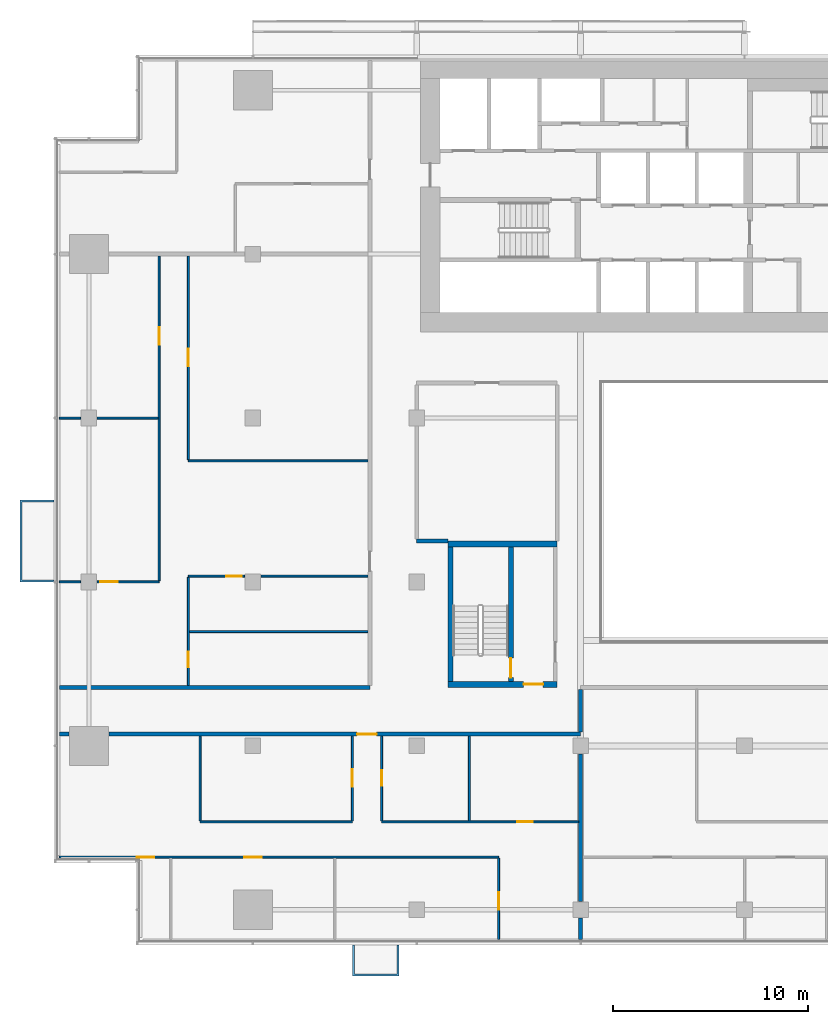
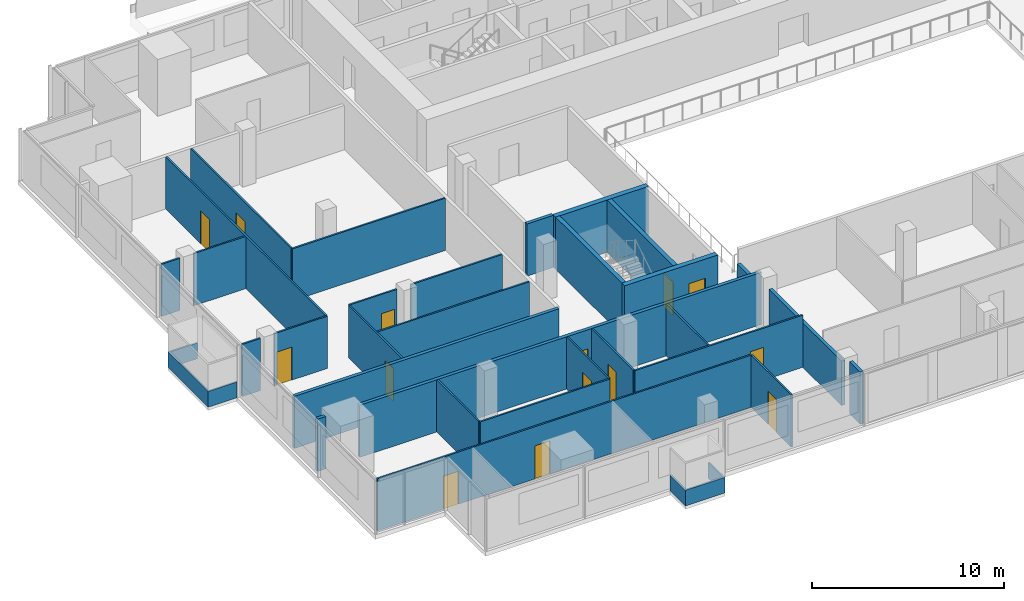
# One storey, part 17 of 27: 32 walls, 14 doors, 14 openings.
"""IFC4 building model written with IfcOpenShell, lengths in metres."""

from ifc_helpers import new_model, si_unit, direction, frame, frame_2d, origin, place, context, subcontext, project, spatial, polyline, rectangle, outline, extrude, material, layer, layer_set, type_object, element, fill, save


model = new_model("IFC4")

# Units and contexts
model_context = context("Model", 3, precision=1e-05, world=origin(), true_north=direction((0.0, 1.0)))
body_context = subcontext(model_context, "Body", "Model", "MODEL_VIEW")
ifc_project = project(units=[si_unit("LENGTHUNIT", "METRE"), si_unit("AREAUNIT", "SQUARE_METRE"), si_unit("VOLUMEUNIT", "CUBIC_METRE"), si_unit("PLANEANGLEUNIT", "RADIAN"), si_unit("MASSUNIT", "GRAM", prefix="KILO")], contexts=[model_context])

# Site, building, storey
site_placement = place(None, origin())
site = spatial("IfcSite", under=ifc_project, at=site_placement, CompositionType="ELEMENT")
building_placement = place(site_placement, origin())
building = spatial("IfcBuilding", under=site, at=building_placement, Name="Saffron Gate Tower", CompositionType="ELEMENT")
storey_placement = place(building_placement, frame((0.0, 0.0, 124.050048828125)))
storey = spatial("IfcBuildingStorey", under=building, at=storey_placement, Name="L29", CompositionType="ELEMENT", Elevation=124.050048828125)

# Wall
ifc_material_1 = material(Name="Concrete C70", Category="concrete")
ifc_layer_1 = layer(ifc_material_1, 0.25)
ifc_layer_set_1 = layer_set([ifc_layer_1], Name="CW2 RC core wall 250 C70")
wall_type_1 = type_object("IfcWallType", Name="CW2 RC core wall 250 C70", PredefinedType="SOLIDWALL", material=ifc_layer_set_1)
wall_1_placement = place(storey_placement, frame((68.324951171875, 43.5, 0.0), z_axis=(0.0, 0.0, 1.0), x_axis=(0.0, 1.0, 0.0)))
element("IfcWall", 1, at=wall_1_placement, inside=storey, type_object=wall_type_1, Name="Wall CW2-L29-D-2", PredefinedType="SOLIDWALL", context=body_context, shape_type="SweptSolid", body=[
    extrude(rectangle(XDim=6.89990234375, YDim=0.25, at=frame_2d((3.449951171875, 0.0))), origin(), (0.0, 0.0, 1.0), 3.320068359375),
])

# Wall, opening, door
wall_2_placement = place(storey_placement, frame((71.425048828125, 43.5, 0.0), z_axis=(0.0, 0.0, 1.0), x_axis=(0.0, 1.0, 0.0)))
wall_2 = element("IfcWall", 2, at=wall_2_placement, inside=storey, type_object=wall_type_1, Name="Wall CW2-L29-D-3", PredefinedType="SOLIDWALL", context=body_context, shape_type="SweptSolid", body=[
    extrude(rectangle(XDim=6.89990234375, YDim=0.25, at=frame_2d((3.449951171875, 0.0))), origin(), (0.0, 0.0, 1.0), 3.320068359375),
])
opening_1_placement = place(wall_2_placement, frame((0.199951171875, 0.0, 0.0)))
opening_1 = element("IfcOpeningElement", 3, at=opening_1_placement, cuts=wall_2, Name="Opening CR-20", PredefinedType="OPENING", context=body_context, shape_type="SweptSolid", body=[
    extrude(rectangle(XDim=1.0, YDim=2.10009765625, at=frame_2d((0.5, 1.050048828125))), frame((0.0, 0.135009765625, 0.0), z_axis=(0.0, -1.0, 0.0), x_axis=(1.0, 0.0, 0.0)), (0.0, 0.0, 1.0), 0.27001953125),
])
ifc_material_2 = material(Name="Steel fire door set", Category="steel")
door_type_1 = type_object("IfcDoorType", Name="CD5 Stair door 1000x2100 EI 120", OperationType="NOTDEFINED", PredefinedType="DOOR", material=ifc_material_2)
door_1_placement = place(opening_1_placement, origin())
door_1 = element("IfcDoor", 4, at=door_1_placement, inside=storey, type_object=door_type_1, Name="DOOR CR-20", OperationType="SINGLE_SWING_LEFT", OverallHeight=2.10009765625, OverallWidth=1.0, PredefinedType="DOOR", context=body_context, shape_type="SweptSolid", body=[
    extrude(rectangle(XDim=1.0, YDim=2.10009765625, at=frame_2d((0.5, 1.050048828125))), frame((0.0, 0.02490234375, 0.0), z_axis=(0.0, -1.0, 0.0), x_axis=(1.0, 0.0, 0.0)), (0.0, 0.0, 1.0), 0.050048828125),
])
fill(opening_1, door_1)

ifc_layer_2 = layer(ifc_material_1, 0.300048828125)
ifc_layer_set_2 = layer_set([ifc_layer_2], Name="CW5 RC core wall 300 C70")
wall_type_2 = type_object("IfcWallType", Name="CW5 RC core wall 300 C70", PredefinedType="SOLIDWALL", material=ifc_layer_set_2)
wall_3_placement = place(storey_placement, frame((68.199951171875, 43.35009765625, 0.0), z_axis=(0.0, 0.0, 1.0), x_axis=(1.0, 0.0, 0.0)))
wall_3 = element("IfcWall", 5, at=wall_3_placement, inside=storey, type_object=wall_type_2, Name="Wall CW5-L29-D-1", PredefinedType="SOLIDWALL", context=body_context, shape_type="SweptSolid", body=[
    extrude(rectangle(XDim=5.60009765625, YDim=0.300048828125, at=frame_2d((2.800048828125, 0.0))), origin(), (0.0, 0.0, 1.0), 3.320068359375),
])
opening_2_placement = place(wall_3_placement, frame((3.875, 0.0, 0.0)))
opening_2 = element("IfcOpeningElement", 6, at=opening_2_placement, cuts=wall_3, Name="Opening CR-18", PredefinedType="OPENING", context=body_context, shape_type="SweptSolid", body=[
    extrude(rectangle(XDim=1.0, YDim=2.10009765625, at=frame_2d((0.5, 1.050048828125))), frame((0.0, 0.16015625, 0.0), z_axis=(0.0, -1.0, 0.0), x_axis=(1.0, 0.0, 0.0)), (0.0, 0.0, 1.0), 0.320068359375),
])
door_type_2 = type_object("IfcDoorType", Name="CD4 Lobby door 1000x2100 EI 120", OperationType="NOTDEFINED", PredefinedType="DOOR", material=ifc_material_2)
door_2_placement = place(opening_2_placement, origin())
door_2 = element("IfcDoor", 7, at=door_2_placement, inside=storey, type_object=door_type_2, Name="DOOR CR-18", OperationType="SINGLE_SWING_RIGHT", OverallHeight=2.10009765625, OverallWidth=1.0, PredefinedType="DOOR", context=body_context, shape_type="SweptSolid", body=[
    extrude(rectangle(XDim=1.0, YDim=2.10009765625, at=frame_2d((0.5, 1.050048828125))), frame((0.0, 0.02490234375, 0.0), z_axis=(0.0, -1.0, 0.0), x_axis=(1.0, 0.0, 0.0)), (0.0, 0.0, 1.0), 0.050048828125),
])
fill(opening_2, door_2)

# Wall
wall_4_placement = place(storey_placement, frame((68.199951171875, 50.550048828125, 0.0), z_axis=(0.0, 0.0, 1.0), x_axis=(1.0, 0.0, 0.0)))
element("IfcWall", 8, at=wall_4_placement, inside=storey, type_object=wall_type_2, Name="Wall CW5-L29-D-5", PredefinedType="SOLIDWALL", context=body_context, shape_type="SweptSolid", body=[
    extrude(rectangle(XDim=5.60009765625, YDim=0.300048828125, at=frame_2d((2.800048828125, 0.0))), origin(), (0.0, 0.0, 1.0), 3.320068359375),
])

# Wall, openings, doors
ifc_material_3 = material(Name="Plasterboard on steel studs", Category="steel")
ifc_layer_3 = layer(ifc_material_3, 0.10009765625)
ifc_layer_set_3 = layer_set([ifc_layer_3], Name="PW1 Partition 100")
wall_type_3 = type_object("IfcWallType", Name="PW1 Partition 100", PredefinedType="PARTITIONING", material=ifc_layer_set_3)
wall_5_placement = place(storey_placement, frame((70.800048828125, 34.5, 0.0), z_axis=(0.0, 0.0, 1.0), x_axis=(-1.0, 0.0, 0.0)))
wall_5 = element("IfcWall", 9, at=wall_5_placement, inside=storey, type_object=wall_type_3, Name="Partition B3-1", PredefinedType="PARTITIONING", context=body_context, shape_type="SweptSolid", body=[
    extrude(rectangle(XDim=22.52001953125, YDim=0.10009765625, at=frame_2d((11.260009765625, 0.0))), origin(), (0.0, 0.0, 1.0), 3.320068359375),
])
opening_3_placement = place(wall_5_placement, frame((12.14990234375, 0.0, 0.0)))
opening_3 = element("IfcOpeningElement", 10, at=opening_3_placement, cuts=wall_5, Name="Opening B3-9", PredefinedType="OPENING", context=body_context, shape_type="SweptSolid", body=[
    extrude(rectangle(XDim=0.89990234375, YDim=2.10009765625, at=frame_2d((0.449951171875, 1.050048828125))), frame((0.0, 0.06005859375, 0.0), z_axis=(0.0, -1.0, 0.0), x_axis=(1.0, 0.0, 0.0)), (0.0, 0.0, 1.0), 0.1201171875),
])
opening_4_placement = place(wall_5_placement, frame((17.65380859375, 0.0, 0.0)))
opening_4 = element("IfcOpeningElement", 11, at=opening_4_placement, cuts=wall_5, Name="Opening B3-8", PredefinedType="OPENING", context=body_context, shape_type="SweptSolid", body=[
    extrude(rectangle(XDim=0.89990234375, YDim=2.10009765625, at=frame_2d((0.449951171875, 1.050048828125))), frame((0.0, 0.06005859375, 0.0), z_axis=(0.0, -1.0, 0.0), x_axis=(1.0, 0.0, 0.0)), (0.0, 0.0, 1.0), 0.1201171875),
])
ifc_material_4 = material(Name="Timber door set", Category="wood")
door_type_3 = type_object("IfcDoorType", Name="RD1 Room door 900x2100", OperationType="NOTDEFINED", PredefinedType="DOOR", material=ifc_material_4)
door_3_placement = place(opening_3_placement, origin())
door_3 = element("IfcDoor", 12, at=door_3_placement, inside=storey, type_object=door_type_3, Name="Door B3-9", OperationType="SINGLE_SWING_RIGHT", OverallHeight=2.10009765625, OverallWidth=0.89990234375, PredefinedType="DOOR", context=body_context, shape_type="SweptSolid", body=[
    extrude(rectangle(XDim=0.89990234375, YDim=2.10009765625, at=frame_2d((0.449951171875, 1.050048828125))), frame((0.0, 0.02490234375, 0.0), z_axis=(0.0, -1.0, 0.0), x_axis=(1.0, 0.0, 0.0)), (0.0, 0.0, 1.0), 0.050048828125),
])
fill(opening_3, door_3)
door_4_placement = place(opening_4_placement, origin())
door_4 = element("IfcDoor", 13, at=door_4_placement, inside=storey, type_object=door_type_3, Name="Door B3-8", OperationType="SINGLE_SWING_LEFT", OverallHeight=2.10009765625, OverallWidth=0.89990234375, PredefinedType="DOOR", context=body_context, shape_type="SweptSolid", body=[
    extrude(rectangle(XDim=0.89990234375, YDim=2.10009765625, at=frame_2d((0.449951171875, 1.050048828125))), frame((0.0, 0.02490234375, 0.0), z_axis=(0.0, -1.0, 0.0), x_axis=(1.0, 0.0, 0.0)), (0.0, 0.0, 1.0), 0.050048828125),
])
fill(opening_4, door_4)

# Wall
wall_6_placement = place(storey_placement, frame((55.5, 36.300048828125, 0.0), z_axis=(0.0, 0.0, 1.0), x_axis=(1.0, 0.0, 0.0)))
element("IfcWall", 14, at=wall_6_placement, inside=storey, type_object=wall_type_3, Name="Partition B3-5", PredefinedType="PARTITIONING", context=body_context, shape_type="SweptSolid", body=[
    extrude(rectangle(XDim=7.800048828125, YDim=0.10009765625, at=frame_2d((3.89990234375, 0.0))), origin(), (0.0, 0.0, 1.0), 3.320068359375),
])

# Wall, opening, door
wall_7_placement = place(storey_placement, frame((64.800048828125, 36.300048828125, 0.0), z_axis=(0.0, 0.0, 1.0), x_axis=(1.0, 0.0, 0.0)))
wall_7 = element("IfcWall", 15, at=wall_7_placement, inside=storey, type_object=wall_type_3, Name="Partition B3-6", PredefinedType="PARTITIONING", context=body_context, shape_type="SweptSolid", body=[
    extrude(rectangle(XDim=10.099853515625, YDim=0.10009765625, at=frame_2d((5.0498046875, 0.0))), origin(), (0.0, 0.0, 1.0), 3.320068359375),
])
opening_5_placement = place(wall_7_placement, frame((6.949951171875, 0.0, 0.0)))
opening_5 = element("IfcOpeningElement", 16, at=opening_5_placement, cuts=wall_7, Name="Opening B3-33", PredefinedType="OPENING", context=body_context, shape_type="SweptSolid", body=[
    extrude(rectangle(XDim=0.800048828125, YDim=2.10009765625, at=frame_2d((0.39990234375, 1.050048828125))), frame((0.0, 0.06005859375, 0.0), z_axis=(0.0, -1.0, 0.0), x_axis=(1.0, 0.0, 0.0)), (0.0, 0.0, 1.0), 0.1201171875),
])
door_type_4 = type_object("IfcDoorType", Name="RD2 Bathroom door 800x2100", OperationType="NOTDEFINED", PredefinedType="DOOR", material=ifc_material_4)
door_5_placement = place(opening_5_placement, origin())
door_5 = element("IfcDoor", 17, at=door_5_placement, inside=storey, type_object=door_type_4, Name="Door B3-33", OperationType="SINGLE_SWING_RIGHT", OverallHeight=2.10009765625, OverallWidth=0.800048828125, PredefinedType="DOOR", context=body_context, shape_type="SweptSolid", body=[
    extrude(rectangle(XDim=0.800048828125, YDim=2.10009765625, at=frame_2d((0.39990234375, 1.050048828125))), frame((0.0, 0.02490234375, 0.0), z_axis=(0.0, -1.0, 0.0), x_axis=(1.0, 0.0, 0.0)), (0.0, 0.0, 1.0), 0.050048828125),
])
fill(opening_5, door_5)

# Walls
wall_8_placement = place(storey_placement, frame((54.949951171875, 46.049560546875, 0.0), z_axis=(0.0, 0.0, 1.0), x_axis=(1.0, 0.0, 0.0)))
element("IfcWall", 18, at=wall_8_placement, inside=storey, type_object=wall_type_3, Name="Partition B3-16", PredefinedType="PARTITIONING", context=body_context, shape_type="SweptSolid", body=[
    extrude(rectangle(XDim=9.150146484375, YDim=0.10009765625, at=frame_2d((4.5751953125, 0.0))), origin(), (0.0, 0.0, 1.0), 3.320068359375),
])
wall_9_placement = place(storey_placement, frame((48.280029296875, 48.60009765625, 0.0), z_axis=(0.0, 0.0, 1.0), x_axis=(1.0, 0.0, 0.0)))
element("IfcWall", 19, at=wall_9_placement, inside=storey, type_object=wall_type_3, Name="Partition B3-18", PredefinedType="PARTITIONING", context=body_context, shape_type="SweptSolid", body=[
    extrude(rectangle(XDim=1.099853515625, YDim=0.10009765625, at=frame_2d((0.5498046875, 0.0))), origin(), (0.0, 0.0, 1.0), 3.320068359375),
])

# Wall, opening, door
wall_10_placement = place(storey_placement, frame((50.219970703125, 48.60009765625, 0.0), z_axis=(0.0, 0.0, 1.0), x_axis=(1.0, 0.0, 0.0)))
wall_10 = element("IfcWall", 20, at=wall_10_placement, inside=storey, type_object=wall_type_3, Name="Partition B3-19", PredefinedType="PARTITIONING", context=body_context, shape_type="SweptSolid", body=[
    extrude(rectangle(XDim=3.179931640625, YDim=0.10009765625, at=frame_2d((1.58984375, 0.0))), origin(), (0.0, 0.0, 1.0), 3.320068359375),
])
opening_6_placement = place(wall_10_placement, frame((0.14990234375, 0.0, 0.0)))
opening_6 = element("IfcOpeningElement", 21, at=opening_6_placement, cuts=wall_10, Name="Opening B3-22", PredefinedType="OPENING", context=body_context, shape_type="SweptSolid", body=[
    extrude(rectangle(XDim=0.89990234375, YDim=2.10009765625, at=frame_2d((0.449951171875, 1.050048828125))), frame((0.0, 0.06005859375, 0.0), z_axis=(0.0, -1.0, 0.0), x_axis=(1.0, 0.0, 0.0)), (0.0, 0.0, 1.0), 0.1201171875),
])
door_6_placement = place(opening_6_placement, origin())
door_6 = element("IfcDoor", 22, at=door_6_placement, inside=storey, type_object=door_type_3, Name="Door B3-22", OperationType="SINGLE_SWING_LEFT", OverallHeight=2.10009765625, OverallWidth=0.89990234375, PredefinedType="DOOR", context=body_context, shape_type="SweptSolid", body=[
    extrude(rectangle(XDim=0.89990234375, YDim=2.10009765625, at=frame_2d((0.449951171875, 1.050048828125))), frame((0.0, 0.02490234375, 0.0), z_axis=(0.0, -1.0, 0.0), x_axis=(1.0, 0.0, 0.0)), (0.0, 0.0, 1.0), 0.050048828125),
])
fill(opening_6, door_6)

wall_11_placement = place(storey_placement, frame((57.780029296875, 48.89990234375, 0.0), z_axis=(0.0, 0.0, 1.0), x_axis=(-1.0, 0.0, 0.0)))
wall_11 = element("IfcWall", 23, at=wall_11_placement, inside=storey, type_object=wall_type_3, Name="Partition B3-22", PredefinedType="PARTITIONING", context=body_context, shape_type="SweptSolid", body=[
    extrude(rectangle(XDim=2.880126953125, YDim=0.10009765625, at=frame_2d((1.43994140625, 0.0))), origin(), (0.0, 0.0, 1.0), 3.320068359375),
])
opening_7_placement = place(wall_11_placement, frame((0.14990234375, 0.0, 0.0)))
opening_7 = element("IfcOpeningElement", 24, at=opening_7_placement, cuts=wall_11, Name="Opening B3-39", PredefinedType="OPENING", context=body_context, shape_type="SweptSolid", body=[
    extrude(rectangle(XDim=0.800048828125, YDim=2.10009765625, at=frame_2d((0.39990234375, 1.050048828125))), frame((0.0, 0.06005859375, 0.0), z_axis=(0.0, -1.0, 0.0), x_axis=(1.0, 0.0, 0.0)), (0.0, 0.0, 1.0), 0.1201171875),
])
door_7_placement = place(opening_7_placement, origin())
door_7 = element("IfcDoor", 25, at=door_7_placement, inside=storey, type_object=door_type_4, Name="Door B3-39", OperationType="SINGLE_SWING_LEFT", OverallHeight=2.10009765625, OverallWidth=0.800048828125, PredefinedType="DOOR", context=body_context, shape_type="SweptSolid", body=[
    extrude(rectangle(XDim=0.800048828125, YDim=2.10009765625, at=frame_2d((0.39990234375, 1.050048828125))), frame((0.0, 0.02490234375, 0.0), z_axis=(0.0, -1.0, 0.0), x_axis=(1.0, 0.0, 0.0)), (0.0, 0.0, 1.0), 0.050048828125),
])
fill(opening_7, door_7)

# Walls
wall_12_placement = place(storey_placement, frame((58.6201171875, 48.89990234375, 0.0), z_axis=(0.0, 0.0, 1.0), x_axis=(1.0, 0.0, 0.0)))
element("IfcWall", 26, at=wall_12_placement, inside=storey, type_object=wall_type_3, Name="Partition B3-23", PredefinedType="PARTITIONING", context=body_context, shape_type="SweptSolid", body=[
    extrude(rectangle(XDim=5.47998046875, YDim=0.10009765625, at=frame_2d((2.739990234375, 0.0))), origin(), (0.0, 0.0, 1.0), 3.320068359375),
])
wall_13_placement = place(storey_placement, frame((54.89990234375, 54.80859375, 0.0), z_axis=(0.0, 0.0, 1.0), x_axis=(1.0, 0.0, 0.0)))
element("IfcWall", 27, at=wall_13_placement, inside=storey, type_object=wall_type_3, Name="Partition B3-27", PredefinedType="PARTITIONING", context=body_context, shape_type="SweptSolid", body=[
    extrude(rectangle(XDim=9.2001953125, YDim=0.10009765625, at=frame_2d((4.60009765625, 0.0))), origin(), (0.0, 0.0, 1.0), 3.320068359375),
])
wall_14_placement = place(storey_placement, frame((48.280029296875, 57.0, 0.0), z_axis=(0.0, 0.0, 1.0), x_axis=(1.0, 0.0, 0.0)))
element("IfcWall", 28, at=wall_14_placement, inside=storey, type_object=wall_type_3, Name="Partition B3-32", PredefinedType="PARTITIONING", context=body_context, shape_type="SweptSolid", body=[
    extrude(rectangle(XDim=1.099853515625, YDim=0.10009765625, at=frame_2d((0.5498046875, 0.0))), origin(), (0.0, 0.0, 1.0), 3.320068359375),
])
wall_15_placement = place(storey_placement, frame((50.219970703125, 57.0, 0.0), z_axis=(0.0, 0.0, 1.0), x_axis=(1.0, 0.0, 0.0)))
element("IfcWall", 29, at=wall_15_placement, inside=storey, type_object=wall_type_3, Name="Partition B3-33", PredefinedType="PARTITIONING", context=body_context, shape_type="SweptSolid", body=[
    extrude(rectangle(XDim=3.130126953125, YDim=0.10009765625, at=frame_2d((1.56494140625, 0.0))), origin(), (0.0, 0.0, 1.0), 3.320068359375),
])

# Wall, opening, door
wall_16_placement = place(storey_placement, frame((53.39990234375, 48.64990234375, 0.0), z_axis=(0.0, 0.0, 1.0), x_axis=(0.0, 1.0, 0.0)))
wall_16 = element("IfcWall", 30, at=wall_16_placement, inside=storey, type_object=wall_type_3, Name="Partition B3-47", PredefinedType="PARTITIONING", context=body_context, shape_type="SweptSolid", body=[
    extrude(rectangle(XDim=16.650146484375, YDim=0.10009765625, at=frame_2d((8.3251953125, 0.0))), origin(), (0.0, 0.0, 1.0), 3.320068359375),
])
opening_8_placement = place(wall_16_placement, frame((12.10009765625, 0.0, 0.0)))
opening_8 = element("IfcOpeningElement", 31, at=opening_8_placement, cuts=wall_16, Name="Opening B3-23", PredefinedType="OPENING", context=body_context, shape_type="SweptSolid", body=[
    extrude(rectangle(XDim=0.89990234375, YDim=2.10009765625, at=frame_2d((0.449951171875, 1.050048828125))), frame((0.0, 0.06005859375, 0.0), z_axis=(0.0, -1.0, 0.0), x_axis=(1.0, 0.0, 0.0)), (0.0, 0.0, 1.0), 0.1201171875),
])
door_8_placement = place(opening_8_placement, origin())
door_8 = element("IfcDoor", 32, at=door_8_placement, inside=storey, type_object=door_type_3, Name="Door B3-23", OperationType="SINGLE_SWING_RIGHT", OverallHeight=2.10009765625, OverallWidth=0.89990234375, PredefinedType="DOOR", context=body_context, shape_type="SweptSolid", body=[
    extrude(rectangle(XDim=0.89990234375, YDim=2.10009765625, at=frame_2d((0.449951171875, 1.050048828125))), frame((0.0, 0.02490234375, 0.0), z_axis=(0.0, -1.0, 0.0), x_axis=(1.0, 0.0, 0.0)), (0.0, 0.0, 1.0), 0.050048828125),
])
fill(opening_8, door_8)

wall_17_placement = place(storey_placement, frame((54.89990234375, 48.85009765625, 0.0), z_axis=(0.0, 0.0, 1.0), x_axis=(0.0, -1.0, 0.0)))
wall_17 = element("IfcWall", 33, at=wall_17_placement, inside=storey, type_object=wall_type_3, Name="Partition B3-50", PredefinedType="PARTITIONING", context=body_context, shape_type="SweptSolid", body=[
    extrude(rectangle(XDim=5.550048828125, YDim=0.10009765625, at=frame_2d((2.77490234375, 0.0))), origin(), (0.0, 0.0, 1.0), 3.320068359375),
])
opening_9_placement = place(wall_17_placement, frame((3.8251953125, 0.0, 0.0)))
opening_9 = element("IfcOpeningElement", 34, at=opening_9_placement, cuts=wall_17, Name="Opening B3-38", PredefinedType="OPENING", context=body_context, shape_type="SweptSolid", body=[
    extrude(rectangle(XDim=0.800048828125, YDim=2.10009765625, at=frame_2d((0.39990234375, 1.050048828125))), frame((0.0, 0.06005859375, 0.0), z_axis=(0.0, -1.0, 0.0), x_axis=(1.0, 0.0, 0.0)), (0.0, 0.0, 1.0), 0.1201171875),
])
door_9_placement = place(opening_9_placement, origin())
door_9 = element("IfcDoor", 35, at=door_9_placement, inside=storey, type_object=door_type_4, Name="Door B3-38", OperationType="SINGLE_SWING_RIGHT", OverallHeight=2.10009765625, OverallWidth=0.800048828125, PredefinedType="DOOR", context=body_context, shape_type="SweptSolid", body=[
    extrude(rectangle(XDim=0.800048828125, YDim=2.10009765625, at=frame_2d((0.39990234375, 1.050048828125))), frame((0.0, 0.02490234375, 0.0), z_axis=(0.0, -1.0, 0.0), x_axis=(1.0, 0.0, 0.0)), (0.0, 0.0, 1.0), 0.050048828125),
])
fill(opening_9, door_9)

wall_18_placement = place(storey_placement, frame((54.89990234375, 65.300048828125, 0.0), z_axis=(0.0, 0.0, 1.0), x_axis=(0.0, -1.0, 0.0)))
wall_18 = element("IfcWall", 36, at=wall_18_placement, inside=storey, type_object=wall_type_3, Name="Partition B3-51", PredefinedType="PARTITIONING", context=body_context, shape_type="SweptSolid", body=[
    extrude(rectangle(XDim=10.44140625, YDim=0.10009765625, at=frame_2d((5.220703125, 0.0))), origin(), (0.0, 0.0, 1.0), 3.320068359375),
])
opening_10_placement = place(wall_18_placement, frame((4.74560546875, 0.0, 0.0)))
opening_10 = element("IfcOpeningElement", 37, at=opening_10_placement, cuts=wall_18, Name="Opening B3-24", PredefinedType="OPENING", context=body_context, shape_type="SweptSolid", body=[
    extrude(rectangle(XDim=0.89990234375, YDim=2.10009765625, at=frame_2d((0.449951171875, 1.050048828125))), frame((0.0, 0.06005859375, 0.0), z_axis=(0.0, -1.0, 0.0), x_axis=(1.0, 0.0, 0.0)), (0.0, 0.0, 1.0), 0.1201171875),
])
door_10_placement = place(opening_10_placement, origin())
door_10 = element("IfcDoor", 38, at=door_10_placement, inside=storey, type_object=door_type_3, Name="Door B3-24", OperationType="SINGLE_SWING_LEFT", OverallHeight=2.10009765625, OverallWidth=0.89990234375, PredefinedType="DOOR", context=body_context, shape_type="SweptSolid", body=[
    extrude(rectangle(XDim=0.89990234375, YDim=2.10009765625, at=frame_2d((0.449951171875, 1.050048828125))), frame((0.0, 0.02490234375, 0.0), z_axis=(0.0, -1.0, 0.0), x_axis=(1.0, 0.0, 0.0)), (0.0, 0.0, 1.0), 0.050048828125),
])
fill(opening_10, door_10)

# Wall
wall_19_placement = place(storey_placement, frame((55.5, 40.699951171875, 0.0), z_axis=(0.0, 0.0, 1.0), x_axis=(0.0, -1.0, 0.0)))
element("IfcWall", 39, at=wall_19_placement, inside=storey, type_object=wall_type_3, Name="Partition B3-52", PredefinedType="PARTITIONING", context=body_context, shape_type="SweptSolid", body=[
    extrude(rectangle(XDim=4.349853515625, YDim=0.10009765625, at=frame_2d((2.1748046875, 0.0))), origin(), (0.0, 0.0, 1.0), 3.320068359375),
])

# Wall, opening, door
wall_20_placement = place(storey_placement, frame((63.300048828125, 36.35009765625, 0.0), z_axis=(0.0, 0.0, 1.0), x_axis=(0.0, 1.0, 0.0)))
wall_20 = element("IfcWall", 40, at=wall_20_placement, inside=storey, type_object=wall_type_3, Name="Partition B3-55", PredefinedType="PARTITIONING", context=body_context, shape_type="SweptSolid", body=[
    extrude(rectangle(XDim=4.349853515625, YDim=0.10009765625, at=frame_2d((2.1748046875, 0.0))), origin(), (0.0, 0.0, 1.0), 3.320068359375),
])
opening_11_placement = place(wall_20_placement, frame((1.75, 0.0, 0.0)))
opening_11 = element("IfcOpeningElement", 41, at=opening_11_placement, cuts=wall_20, Name="Opening B3-11", PredefinedType="OPENING", context=body_context, shape_type="SweptSolid", body=[
    extrude(rectangle(XDim=0.89990234375, YDim=2.10009765625, at=frame_2d((0.449951171875, 1.050048828125))), frame((0.0, 0.06005859375, 0.0), z_axis=(0.0, -1.0, 0.0), x_axis=(1.0, 0.0, 0.0)), (0.0, 0.0, 1.0), 0.1201171875),
])
door_11_placement = place(opening_11_placement, origin())
door_11 = element("IfcDoor", 42, at=door_11_placement, inside=storey, type_object=door_type_3, Name="Door B3-11", OperationType="SINGLE_SWING_RIGHT", OverallHeight=2.10009765625, OverallWidth=0.89990234375, PredefinedType="DOOR", context=body_context, shape_type="SweptSolid", body=[
    extrude(rectangle(XDim=0.89990234375, YDim=2.10009765625, at=frame_2d((0.449951171875, 1.050048828125))), frame((0.0, 0.02490234375, 0.0), z_axis=(0.0, -1.0, 0.0), x_axis=(1.0, 0.0, 0.0)), (0.0, 0.0, 1.0), 0.050048828125),
])
fill(opening_11, door_11)

wall_21_placement = place(storey_placement, frame((64.800048828125, 40.699951171875, 0.0), z_axis=(0.0, 0.0, 1.0), x_axis=(0.0, -1.0, 0.0)))
wall_21 = element("IfcWall", 43, at=wall_21_placement, inside=storey, type_object=wall_type_3, Name="Partition B3-57", PredefinedType="PARTITIONING", context=body_context, shape_type="SweptSolid", body=[
    extrude(rectangle(XDim=4.349853515625, YDim=0.10009765625, at=frame_2d((2.1748046875, 0.0))), origin(), (0.0, 0.0, 1.0), 3.320068359375),
])
opening_12_placement = place(wall_21_placement, frame((1.75, 0.0, 0.0)))
opening_12 = element("IfcOpeningElement", 44, at=opening_12_placement, cuts=wall_21, Name="Opening B3-32", PredefinedType="OPENING", context=body_context, shape_type="SweptSolid", body=[
    extrude(rectangle(XDim=0.800048828125, YDim=2.10009765625, at=frame_2d((0.39990234375, 1.050048828125))), frame((0.0, 0.06005859375, 0.0), z_axis=(0.0, -1.0, 0.0), x_axis=(1.0, 0.0, 0.0)), (0.0, 0.0, 1.0), 0.1201171875),
])
door_12_placement = place(opening_12_placement, origin())
door_12 = element("IfcDoor", 45, at=door_12_placement, inside=storey, type_object=door_type_4, Name="Door B3-32", OperationType="SINGLE_SWING_LEFT", OverallHeight=2.10009765625, OverallWidth=0.800048828125, PredefinedType="DOOR", context=body_context, shape_type="SweptSolid", body=[
    extrude(rectangle(XDim=0.800048828125, YDim=2.10009765625, at=frame_2d((0.39990234375, 1.050048828125))), frame((0.0, 0.02490234375, 0.0), z_axis=(0.0, -1.0, 0.0), x_axis=(1.0, 0.0, 0.0)), (0.0, 0.0, 1.0), 0.050048828125),
])
fill(opening_12, door_12)

# Wall
wall_22_placement = place(storey_placement, frame((69.300048828125, 40.699951171875, 0.0), z_axis=(0.0, 0.0, 1.0), x_axis=(0.0, -1.0, 0.0)))
element("IfcWall", 46, at=wall_22_placement, inside=storey, type_object=wall_type_3, Name="Partition B3-60", PredefinedType="PARTITIONING", context=body_context, shape_type="SweptSolid", body=[
    extrude(rectangle(XDim=4.349853515625, YDim=0.10009765625, at=frame_2d((2.1748046875, 0.0))), origin(), (0.0, 0.0, 1.0), 3.320068359375),
])

# Wall, opening, door
wall_23_placement = place(storey_placement, frame((70.800048828125, 30.280029296875, 0.0), z_axis=(0.0, 0.0, 1.0), x_axis=(0.0, 1.0, 0.0)))
wall_23 = element("IfcWall", 47, at=wall_23_placement, inside=storey, type_object=wall_type_3, Name="Partition B3-61", PredefinedType="PARTITIONING", context=body_context, shape_type="SweptSolid", body=[
    extrude(rectangle(XDim=4.169921875, YDim=0.10009765625, at=frame_2d((2.0849609375, 0.0))), origin(), (0.0, 0.0, 1.0), 3.320068359375),
])
opening_13_placement = place(wall_23_placement, frame((1.52001953125, 0.0, 0.0)))
opening_13 = element("IfcOpeningElement", 48, at=opening_13_placement, cuts=wall_23, Name="Opening B3-10", PredefinedType="OPENING", context=body_context, shape_type="SweptSolid", body=[
    extrude(rectangle(XDim=0.89990234375, YDim=2.10009765625, at=frame_2d((0.449951171875, 1.050048828125))), frame((0.0, 0.06005859375, 0.0), z_axis=(0.0, -1.0, 0.0), x_axis=(1.0, 0.0, 0.0)), (0.0, 0.0, 1.0), 0.1201171875),
])
door_13_placement = place(opening_13_placement, origin())
door_13 = element("IfcDoor", 49, at=door_13_placement, inside=storey, type_object=door_type_3, Name="Door B3-10", OperationType="SINGLE_SWING_LEFT", OverallHeight=2.10009765625, OverallWidth=0.89990234375, PredefinedType="DOOR", context=body_context, shape_type="SweptSolid", body=[
    extrude(rectangle(XDim=0.89990234375, YDim=2.10009765625, at=frame_2d((0.449951171875, 1.050048828125))), frame((0.0, 0.02490234375, 0.0), z_axis=(0.0, -1.0, 0.0), x_axis=(1.0, 0.0, 0.0)), (0.0, 0.0, 1.0), 0.050048828125),
])
fill(opening_13, door_13)

# Walls
ifc_material_5 = material(Name="Clay brick masonry, rendered", Category="masonry")
ifc_layer_4 = layer(ifc_material_5, 0.199951171875)
ifc_layer_set_4 = layer_set([ifc_layer_4], Name="PW2 Demising wall 200")
wall_type_4 = type_object("IfcWallType", Name="PW2 Demising wall 200", PredefinedType="PARTITIONING", material=ifc_layer_set_4)
wall_24_placement = place(storey_placement, frame((75.0, 31.3798828125, 0.0), z_axis=(0.0, 0.0, 1.0), x_axis=(0.0, -1.0, 0.0)))
element("IfcWall", 50, at=wall_24_placement, inside=storey, type_object=wall_type_4, Name="Wall B3-64", PredefinedType="PARTITIONING", context=body_context, shape_type="SweptSolid", body=[
    extrude(rectangle(XDim=1.099853515625, YDim=0.199951171875, at=frame_2d((0.5498046875, 0.0))), origin(), (0.0, 0.0, 1.0), 3.320068359375),
])
wall_25_placement = place(storey_placement, frame((75.0, 39.780029296875, 0.0), z_axis=(0.0, 0.0, 1.0), x_axis=(0.0, -1.0, 0.0)))
element("IfcWall", 51, at=wall_25_placement, inside=storey, type_object=wall_type_4, Name="Wall B3-65", PredefinedType="PARTITIONING", context=body_context, shape_type="SweptSolid", body=[
    extrude(rectangle(XDim=7.56005859375, YDim=0.199951171875, at=frame_2d((3.780029296875, 0.0))), origin(), (0.0, 0.0, 1.0), 2.829833984375),
])
ifc_layer_5 = layer(ifc_material_5, 0.199951171875)
ifc_layer_set_5 = layer_set([ifc_layer_5], Name="PW3 Corridor wall 200")
wall_type_5 = type_object("IfcWallType", Name="PW3 Corridor wall 200", PredefinedType="PARTITIONING", material=ifc_layer_set_5)
wall_26_placement = place(storey_placement, frame((48.280029296875, 40.800048828125, 0.0), z_axis=(0.0, 0.0, 1.0), x_axis=(1.0, 0.0, 0.0)))
element("IfcWall", 52, at=wall_26_placement, inside=storey, type_object=wall_type_5, Name="Wall B3-9", PredefinedType="PARTITIONING", context=body_context, shape_type="SweptSolid", body=[
    extrude(rectangle(XDim=0.5, YDim=0.199951171875, at=frame_2d((0.25, 0.0))), origin(), (0.0, 0.0, 1.0), 3.320068359375),
])

# Wall, opening, door
wall_27_placement = place(storey_placement, frame((75.0, 40.800048828125, 0.0), z_axis=(0.0, 0.0, 1.0), x_axis=(-1.0, 0.0, 0.0)))
wall_27 = element("IfcWall", 53, at=wall_27_placement, inside=storey, type_object=wall_type_5, Name="Wall B3-10", PredefinedType="PARTITIONING", context=body_context, shape_type="SweptSolid", body=[
    extrude(rectangle(XDim=24.179931640625, YDim=0.199951171875, at=frame_2d((12.08984375, 0.0))), origin(), (0.0, 0.0, 1.0), 3.320068359375),
])
opening_14_placement = place(wall_27_placement, frame((10.449951171875, 0.0, 0.0)))
opening_14 = element("IfcOpeningElement", 54, at=opening_14_placement, cuts=wall_27, Name="Opening B3-1", PredefinedType="OPENING", context=body_context, shape_type="SweptSolid", body=[
    extrude(rectangle(XDim=1.0, YDim=2.10009765625, at=frame_2d((0.5, 1.050048828125))), frame((0.0, 0.10986328125, 0.0), z_axis=(0.0, -1.0, 0.0), x_axis=(1.0, 0.0, 0.0)), (0.0, 0.0, 1.0), 0.219970703125),
])
ifc_material_6 = material(Name="Timber fire door set", Category="wood")
door_type_5 = type_object("IfcDoorType", Name="FD1 Flat entry door 1000x2100", OperationType="NOTDEFINED", PredefinedType="DOOR", material=ifc_material_6)
door_14_placement = place(opening_14_placement, origin())
door_14 = element("IfcDoor", 55, at=door_14_placement, inside=storey, type_object=door_type_5, Name="Door B3-1", OperationType="SINGLE_SWING_LEFT", OverallHeight=2.10009765625, OverallWidth=1.0, PredefinedType="DOOR", context=body_context, shape_type="SweptSolid", body=[
    extrude(rectangle(XDim=1.0, YDim=2.10009765625, at=frame_2d((0.5, 1.050048828125))), frame((0.0, 0.02490234375, 0.0), z_axis=(0.0, -1.0, 0.0), x_axis=(1.0, 0.0, 0.0)), (0.0, 0.0, 1.0), 0.050048828125),
])
fill(opening_14, door_14)

# Walls
wall_28_placement = place(storey_placement, frame((48.280029296875, 43.199951171875, 0.0), z_axis=(0.0, 0.0, 1.0), x_axis=(1.0, 0.0, 0.0)))
element("IfcWall", 56, at=wall_28_placement, inside=storey, type_object=wall_type_5, Name="Wall B3-13", PredefinedType="PARTITIONING", context=body_context, shape_type="SweptSolid", body=[
    extrude(rectangle(XDim=15.919921875, YDim=0.199951171875, at=frame_2d((7.9599609375, 0.0))), origin(), (0.0, 0.0, 1.0), 3.320068359375),
])
wall_29_placement = place(storey_placement, frame((66.60009765625, 50.699951171875, 0.0), z_axis=(0.0, 0.0, 1.0), x_axis=(1.0, 0.0, 0.0)))
element("IfcWall", 57, at=wall_29_placement, inside=storey, type_object=wall_type_5, Name="Wall B3-24", PredefinedType="PARTITIONING", context=body_context, shape_type="SweptSolid", body=[
    extrude(rectangle(XDim=1.599853515625, YDim=0.199951171875, at=frame_2d((0.7998046875, 0.0))), origin(), (0.0, 0.0, 1.0), 3.320068359375),
])
wall_30_placement = place(storey_placement, frame((75.0, 43.10009765625, 0.0), z_axis=(0.0, 0.0, 1.0), x_axis=(0.0, -1.0, 0.0)))
element("IfcWall", 58, at=wall_30_placement, inside=storey, type_object=wall_type_5, Name="Wall B3-63", PredefinedType="PARTITIONING", context=body_context, shape_type="SweptSolid", body=[
    extrude(rectangle(XDim=2.2001953125, YDim=0.199951171875, at=frame_2d((1.10009765625, 0.0))), origin(), (0.0, 0.0, 1.0), 2.429931640625),
])
ifc_material_7 = material(Name="Rendered insulated panel, white")
ifc_layer_6 = layer(ifc_material_7, 0.10009765625)
ifc_layer_set_6 = layer_set([ifc_layer_6], Name="WB3 box parapet white")
wall_type_6 = type_object("IfcWallType", Name="WB3 box parapet white", PredefinedType="SOLIDWALL", material=ifc_layer_set_6)
wall_31_placement = place(storey_placement, origin())
element("IfcWall", 59, at=wall_31_placement, inside=storey, type_object=wall_type_6, Name="WINDOW BOX parapet", PredefinedType="SOLIDWALL", context=body_context, shape_type="SweptSolid", body=[
    extrude(outline(polyline([(63.300048828125, 30.0), (63.39990234375, 30.0), (63.39990234375, 28.5), (65.60009765625, 28.5), (65.60009765625, 30.0), (65.699951171875, 30.0), (65.699951171875, 28.39990234375), (63.300048828125, 28.39990234375), (63.300048828125, 30.0)])), origin(), (0.0, 0.0, 1.0), 1.0),
])
wall_32_placement = place(storey_placement, origin())
element("IfcWall", 60, at=wall_32_placement, inside=storey, type_object=wall_type_6, Name="WINDOW BOX parapet", PredefinedType="SOLIDWALL", context=body_context, shape_type="SweptSolid", body=[
    extrude(outline(polyline([(48.0, 52.800048828125), (48.0, 52.699951171875), (46.366943359375, 52.699951171875), (46.366943359375, 48.699951171875), (48.0, 48.699951171875), (48.0, 48.60009765625), (46.26708984375, 48.60009765625), (46.26708984375, 52.800048828125), (48.0, 52.800048828125)])), origin(), (0.0, 0.0, 1.0), 1.0),
])

save(model, "model.ifc")
